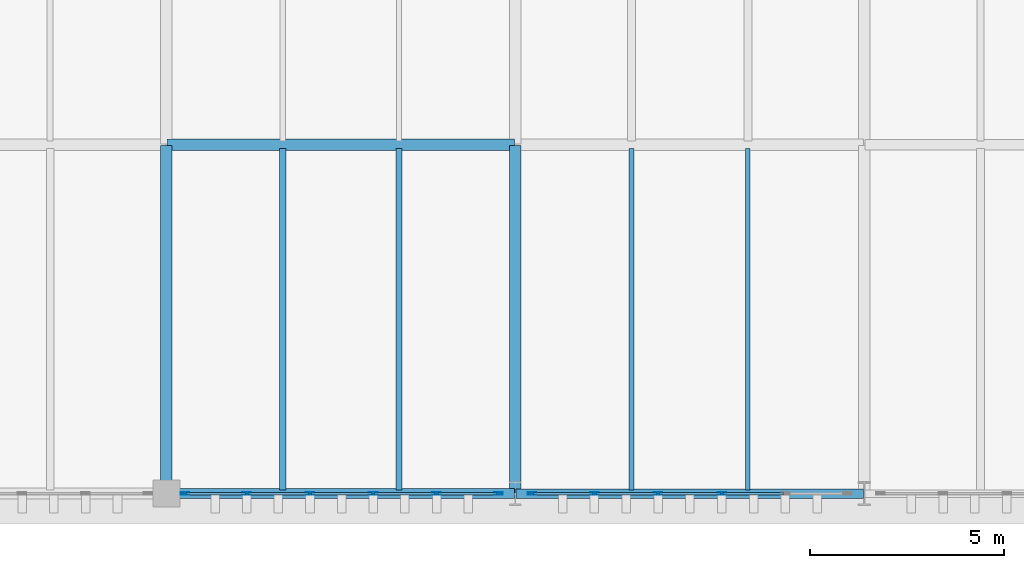
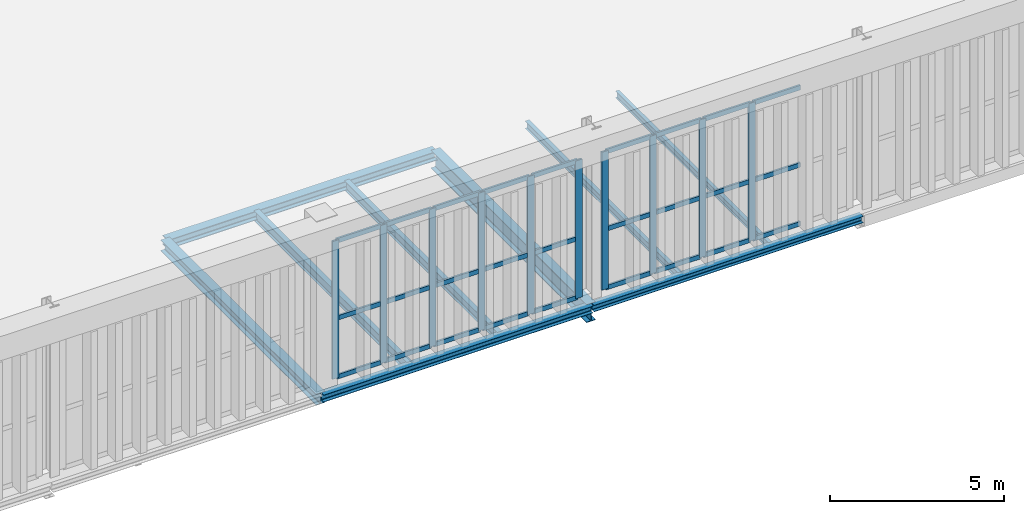
# One storey, part 114 of 237: 37 members, 9 beams, 2 elements without a shape of their own.
"""IFC4 building model written with IfcOpenShell, lengths in metres."""

from ifc_helpers import new_model, si_unit, direction, frame, origin, origin_2d, place, context, subcontext, project, spatial, hollow_rectangle, i_section, extrude, material, layer, layer_set, material_profile, profile_set, type_object, element, aggregate, save


model = new_model("IFC4")

# Units and contexts
model_context = context("Model", 3, precision=1e-05, world=origin(), true_north=direction((0.0, 1.0)))
body_context = subcontext(model_context, "Body", "Model", "MODEL_VIEW")
ifc_project = project(units=[si_unit("LENGTHUNIT", "METRE"), si_unit("AREAUNIT", "SQUARE_METRE"), si_unit("VOLUMEUNIT", "CUBIC_METRE"), si_unit("PLANEANGLEUNIT", "RADIAN"), si_unit("MASSUNIT", "GRAM", prefix="KILO")], contexts=[model_context])

# Site, building, storey
site_placement = place(None, origin())
site = spatial("IfcSite", under=ifc_project, at=site_placement, CompositionType="ELEMENT")
building_placement = place(site_placement, origin())
building = spatial("IfcBuilding", under=site, at=building_placement, Name="Barlavento Convention Centre", CompositionType="ELEMENT")
storey_placement = place(building_placement, frame((0.0, 0.0, 12.0)))
storey = spatial("IfcBuildingStorey", under=building, at=storey_placement, Name="L02", CompositionType="ELEMENT", Elevation=12.0)

# Curtain wall, members
ifc_material_1 = material(Name="Powder-coated aluminium and Low-E glass", Category="aluminium")
ifc_layer = layer(ifc_material_1, 0.195068359375)
ifc_layer_set = layer_set([ifc_layer], Name="ARC-CW-BALL-L02")
curtain_wall_type = type_object("IfcCurtainWallType", Name="ARC-CW-BALL-L02", PredefinedType="NOTDEFINED", material=ifc_layer_set)
curtain_wall_1_placement = place(storey_placement, origin())
curtain_wall_1 = element("IfcCurtainWall", 1, at=curtain_wall_1_placement, inside=storey, type_object=curtain_wall_type, Name="L02 unitised curtain wall CW07", PredefinedType="NOTDEFINED")
ifc_material_2 = material(Name="Powder-coated aluminium", Category="aluminium")
ifc_material_profile_1 = material_profile(ifc_material_2, hollow_rectangle(XDim=0.070068359375, YDim=0.219970703125, WallThickness=0.006103515625, at=origin_2d()), Name="AL-MULL 70x220x6")
ifc_profile_set_1 = profile_set([ifc_material_profile_1], Name="Powder-coated aluminium")
member_type_1 = type_object("IfcMemberType", Name="ARC-CWM-70X220", PredefinedType="MULLION", material=ifc_profile_set_1)
member_1_placement = place(storey_placement, frame((144.47509765625, 0.0, 0.0), z_axis=(0.0, 0.0, 1.0), x_axis=(0.0, 1.0, 0.0)))
member_1 = element("IfcMember", 2, at=member_1_placement, type_object=member_type_1, Name="CW07 mullion 1", PredefinedType="MULLION", context=body_context, shape_type="SweptSolid", body=[
    extrude(hollow_rectangle(XDim=0.070068359375, YDim=0.219970703125, WallThickness=0.006103515625, at=origin_2d()), origin(), (0.0, 0.0, 1.0), 4.85009765625),
])
member_2_placement = place(storey_placement, frame((146.072021484375, 0.0, 0.0), z_axis=(0.0, 0.0, 1.0), x_axis=(0.0, 1.0, 0.0)))
member_2 = element("IfcMember", 3, at=member_2_placement, type_object=member_type_1, Name="CW07 mullion 2", PredefinedType="MULLION", context=body_context, shape_type="SweptSolid", body=[
    extrude(hollow_rectangle(XDim=0.070068359375, YDim=0.219970703125, WallThickness=0.006103515625, at=origin_2d()), origin(), (0.0, 0.0, 1.0), 4.85009765625),
])
member_3_placement = place(storey_placement, frame((147.7041015625, 0.0, 0.0), z_axis=(0.0, 0.0, 1.0), x_axis=(0.0, 1.0, 0.0)))
member_3 = element("IfcMember", 4, at=member_3_placement, type_object=member_type_1, Name="CW07 mullion 3", PredefinedType="MULLION", context=body_context, shape_type="SweptSolid", body=[
    extrude(hollow_rectangle(XDim=0.070068359375, YDim=0.219970703125, WallThickness=0.006103515625, at=origin_2d()), origin(), (0.0, 0.0, 1.0), 4.85009765625),
])
member_4_placement = place(storey_placement, frame((149.3359375, 0.0, 0.0), z_axis=(0.0, 0.0, 1.0), x_axis=(0.0, 1.0, 0.0)))
member_4 = element("IfcMember", 5, at=member_4_placement, type_object=member_type_1, Name="CW07 mullion 4", PredefinedType="MULLION", context=body_context, shape_type="SweptSolid", body=[
    extrude(hollow_rectangle(XDim=0.070068359375, YDim=0.219970703125, WallThickness=0.006103515625, at=origin_2d()), origin(), (0.0, 0.0, 1.0), 4.85009765625),
])
member_5_placement = place(storey_placement, frame((150.968017578125, 0.0, 0.0), z_axis=(0.0, 0.0, 1.0), x_axis=(0.0, 1.0, 0.0)))
member_5 = element("IfcMember", 6, at=member_5_placement, type_object=member_type_1, Name="CW07 mullion 5", PredefinedType="MULLION", context=body_context, shape_type="SweptSolid", body=[
    extrude(hollow_rectangle(XDim=0.070068359375, YDim=0.219970703125, WallThickness=0.006103515625, at=origin_2d()), origin(), (0.0, 0.0, 1.0), 4.85009765625),
])
member_6_placement = place(storey_placement, frame((152.56494140625, 0.0, 0.0), z_axis=(0.0, 0.0, 1.0), x_axis=(0.0, 1.0, 0.0)))
member_6 = element("IfcMember", 7, at=member_6_placement, type_object=member_type_1, Name="CW07 mullion 6", PredefinedType="MULLION", context=body_context, shape_type="SweptSolid", body=[
    extrude(hollow_rectangle(XDim=0.070068359375, YDim=0.219970703125, WallThickness=0.006103515625, at=origin_2d()), origin(), (0.0, 0.0, 1.0), 4.85009765625),
])

curtain_wall_2_placement = place(storey_placement, origin())
curtain_wall_2 = element("IfcCurtainWall", 8, at=curtain_wall_2_placement, inside=storey, type_object=curtain_wall_type, Name="L02 unitised curtain wall CW07", PredefinedType="NOTDEFINED")
member_7_placement = place(storey_placement, frame((153.43505859375, 0.0, 0.0), z_axis=(0.0, 0.0, 1.0), x_axis=(0.0, 1.0, 0.0)))
member_7 = element("IfcMember", 9, at=member_7_placement, type_object=member_type_1, Name="CW07 mullion 1", PredefinedType="MULLION", context=body_context, shape_type="SweptSolid", body=[
    extrude(hollow_rectangle(XDim=0.070068359375, YDim=0.219970703125, WallThickness=0.006103515625, at=origin_2d()), origin(), (0.0, 0.0, 1.0), 4.85009765625),
])
member_8_placement = place(storey_placement, frame((155.0419921875, 0.0, 0.0), z_axis=(0.0, 0.0, 1.0), x_axis=(0.0, 1.0, 0.0)))
member_8 = element("IfcMember", 10, at=member_8_placement, type_object=member_type_1, Name="CW07 mullion 2", PredefinedType="MULLION", context=body_context, shape_type="SweptSolid", body=[
    extrude(hollow_rectangle(XDim=0.070068359375, YDim=0.219970703125, WallThickness=0.006103515625, at=origin_2d()), origin(), (0.0, 0.0, 1.0), 4.85009765625),
])
member_9_placement = place(storey_placement, frame((156.68408203125, 0.0, 0.0), z_axis=(0.0, 0.0, 1.0), x_axis=(0.0, 1.0, 0.0)))
member_9 = element("IfcMember", 11, at=member_9_placement, type_object=member_type_1, Name="CW07 mullion 3", PredefinedType="MULLION", context=body_context, shape_type="SweptSolid", body=[
    extrude(hollow_rectangle(XDim=0.070068359375, YDim=0.219970703125, WallThickness=0.006103515625, at=origin_2d()), origin(), (0.0, 0.0, 1.0), 4.85009765625),
])
member_10_placement = place(storey_placement, frame((158.325927734375, 0.0, 0.0), z_axis=(0.0, 0.0, 1.0), x_axis=(0.0, 1.0, 0.0)))
member_10 = element("IfcMember", 12, at=member_10_placement, type_object=member_type_1, Name="CW07 mullion 4", PredefinedType="MULLION", context=body_context, shape_type="SweptSolid", body=[
    extrude(hollow_rectangle(XDim=0.070068359375, YDim=0.219970703125, WallThickness=0.006103515625, at=origin_2d()), origin(), (0.0, 0.0, 1.0), 4.85009765625),
])

# Member
ifc_material_profile_2 = material_profile(ifc_material_2, hollow_rectangle(XDim=0.06494140625, YDim=0.159912109375, WallThickness=0.0048828125, at=origin_2d()), Name="AL-TRAN 65x160x5")
ifc_profile_set_2 = profile_set([ifc_material_profile_2], Name="Powder-coated aluminium")
member_type_2 = type_object("IfcMemberType", Name="ARC-CWT-65X160", PredefinedType="USERDEFINED", material=ifc_profile_set_2)
member_11_placement = place(storey_placement, frame((144.510009765625, 0.0, 0.032470703125), z_axis=(1.0, 0.0, 0.0), x_axis=(0.0, 1.0, 0.0)))
member_11 = element("IfcMember", 13, at=member_11_placement, type_object=member_type_2, Name="CW07 transom 1.1", ObjectType="TRANSOM", PredefinedType="USERDEFINED", context=body_context, shape_type="SweptSolid", body=[
    extrude(hollow_rectangle(XDim=0.06494140625, YDim=0.159912109375, WallThickness=0.0048828125, at=origin_2d()), origin(), (0.0, 0.0, 1.0), 1.527099609375),
])

member_12_placement = place(storey_placement, frame((144.510009765625, 0.0, 2.10009765625), z_axis=(1.0, 0.0, 0.0), x_axis=(0.0, 1.0, 0.0)))
member_12 = element("IfcMember", 14, at=member_12_placement, type_object=member_type_2, Name="CW07 transom 1.2", ObjectType="TRANSOM", PredefinedType="USERDEFINED", context=body_context, shape_type="SweptSolid", body=[
    extrude(hollow_rectangle(XDim=0.06494140625, YDim=0.159912109375, WallThickness=0.0048828125, at=origin_2d()), origin(), (0.0, 0.0, 1.0), 1.527099609375),
])

member_13_placement = place(storey_placement, frame((144.510009765625, 0.0, 4.8173828125), z_axis=(1.0, 0.0, 0.0), x_axis=(0.0, 1.0, 0.0)))
member_13 = element("IfcMember", 15, at=member_13_placement, type_object=member_type_2, Name="CW07 transom 1.3", ObjectType="TRANSOM", PredefinedType="USERDEFINED", context=body_context, shape_type="SweptSolid", body=[
    extrude(hollow_rectangle(XDim=0.06494140625, YDim=0.159912109375, WallThickness=0.0048828125, at=origin_2d()), origin(), (0.0, 0.0, 1.0), 1.527099609375),
])

member_14_placement = place(storey_placement, frame((146.10693359375, 0.0, 0.032470703125), z_axis=(1.0, 0.0, 0.0), x_axis=(0.0, 1.0, 0.0)))
member_14 = element("IfcMember", 16, at=member_14_placement, type_object=member_type_2, Name="CW07 transom 2.1", ObjectType="TRANSOM", PredefinedType="USERDEFINED", context=body_context, shape_type="SweptSolid", body=[
    extrude(hollow_rectangle(XDim=0.06494140625, YDim=0.159912109375, WallThickness=0.0048828125, at=origin_2d()), origin(), (0.0, 0.0, 1.0), 1.56201171875),
])

member_15_placement = place(storey_placement, frame((146.10693359375, 0.0, 2.10009765625), z_axis=(1.0, 0.0, 0.0), x_axis=(0.0, 1.0, 0.0)))
member_15 = element("IfcMember", 17, at=member_15_placement, type_object=member_type_2, Name="CW07 transom 2.2", ObjectType="TRANSOM", PredefinedType="USERDEFINED", context=body_context, shape_type="SweptSolid", body=[
    extrude(hollow_rectangle(XDim=0.06494140625, YDim=0.159912109375, WallThickness=0.0048828125, at=origin_2d()), origin(), (0.0, 0.0, 1.0), 1.56201171875),
])

member_16_placement = place(storey_placement, frame((146.10693359375, 0.0, 4.8173828125), z_axis=(1.0, 0.0, 0.0), x_axis=(0.0, 1.0, 0.0)))
member_16 = element("IfcMember", 18, at=member_16_placement, type_object=member_type_2, Name="CW07 transom 2.3", ObjectType="TRANSOM", PredefinedType="USERDEFINED", context=body_context, shape_type="SweptSolid", body=[
    extrude(hollow_rectangle(XDim=0.06494140625, YDim=0.159912109375, WallThickness=0.0048828125, at=origin_2d()), origin(), (0.0, 0.0, 1.0), 1.56201171875),
])

member_17_placement = place(storey_placement, frame((147.739013671875, 0.0, 0.032470703125), z_axis=(1.0, 0.0, 0.0), x_axis=(0.0, 1.0, 0.0)))
member_17 = element("IfcMember", 19, at=member_17_placement, type_object=member_type_2, Name="CW07 transom 3.1", ObjectType="TRANSOM", PredefinedType="USERDEFINED", context=body_context, shape_type="SweptSolid", body=[
    extrude(hollow_rectangle(XDim=0.06494140625, YDim=0.159912109375, WallThickness=0.0048828125, at=origin_2d()), origin(), (0.0, 0.0, 1.0), 1.56201171875),
])

member_18_placement = place(storey_placement, frame((147.739013671875, 0.0, 2.10009765625), z_axis=(1.0, 0.0, 0.0), x_axis=(0.0, 1.0, 0.0)))
member_18 = element("IfcMember", 20, at=member_18_placement, type_object=member_type_2, Name="CW07 transom 3.2", ObjectType="TRANSOM", PredefinedType="USERDEFINED", context=body_context, shape_type="SweptSolid", body=[
    extrude(hollow_rectangle(XDim=0.06494140625, YDim=0.159912109375, WallThickness=0.0048828125, at=origin_2d()), origin(), (0.0, 0.0, 1.0), 1.56201171875),
])

member_19_placement = place(storey_placement, frame((147.739013671875, 0.0, 4.8173828125), z_axis=(1.0, 0.0, 0.0), x_axis=(0.0, 1.0, 0.0)))
member_19 = element("IfcMember", 21, at=member_19_placement, type_object=member_type_2, Name="CW07 transom 3.3", ObjectType="TRANSOM", PredefinedType="USERDEFINED", context=body_context, shape_type="SweptSolid", body=[
    extrude(hollow_rectangle(XDim=0.06494140625, YDim=0.159912109375, WallThickness=0.0048828125, at=origin_2d()), origin(), (0.0, 0.0, 1.0), 1.56201171875),
])

member_20_placement = place(storey_placement, frame((149.37109375, 0.0, 0.032470703125), z_axis=(1.0, 0.0, 0.0), x_axis=(0.0, 1.0, 0.0)))
member_20 = element("IfcMember", 22, at=member_20_placement, type_object=member_type_2, Name="CW07 transom 4.1", ObjectType="TRANSOM", PredefinedType="USERDEFINED", context=body_context, shape_type="SweptSolid", body=[
    extrude(hollow_rectangle(XDim=0.06494140625, YDim=0.159912109375, WallThickness=0.0048828125, at=origin_2d()), origin(), (0.0, 0.0, 1.0), 1.56201171875),
])

member_21_placement = place(storey_placement, frame((149.37109375, 0.0, 2.10009765625), z_axis=(1.0, 0.0, 0.0), x_axis=(0.0, 1.0, 0.0)))
member_21 = element("IfcMember", 23, at=member_21_placement, type_object=member_type_2, Name="CW07 transom 4.2", ObjectType="TRANSOM", PredefinedType="USERDEFINED", context=body_context, shape_type="SweptSolid", body=[
    extrude(hollow_rectangle(XDim=0.06494140625, YDim=0.159912109375, WallThickness=0.0048828125, at=origin_2d()), origin(), (0.0, 0.0, 1.0), 1.56201171875),
])

member_22_placement = place(storey_placement, frame((149.37109375, 0.0, 4.8173828125), z_axis=(1.0, 0.0, 0.0), x_axis=(0.0, 1.0, 0.0)))
member_22 = element("IfcMember", 24, at=member_22_placement, type_object=member_type_2, Name="CW07 transom 4.3", ObjectType="TRANSOM", PredefinedType="USERDEFINED", context=body_context, shape_type="SweptSolid", body=[
    extrude(hollow_rectangle(XDim=0.06494140625, YDim=0.159912109375, WallThickness=0.0048828125, at=origin_2d()), origin(), (0.0, 0.0, 1.0), 1.56201171875),
])

member_23_placement = place(storey_placement, frame((151.0029296875, 0.0, 0.032470703125), z_axis=(1.0, 0.0, 0.0), x_axis=(0.0, 1.0, 0.0)))
member_23 = element("IfcMember", 25, at=member_23_placement, type_object=member_type_2, Name="CW07 transom 5.1", ObjectType="TRANSOM", PredefinedType="USERDEFINED", context=body_context, shape_type="SweptSolid", body=[
    extrude(hollow_rectangle(XDim=0.06494140625, YDim=0.159912109375, WallThickness=0.0048828125, at=origin_2d()), origin(), (0.0, 0.0, 1.0), 1.527099609375),
])

member_24_placement = place(storey_placement, frame((151.0029296875, 0.0, 2.10009765625), z_axis=(1.0, 0.0, 0.0), x_axis=(0.0, 1.0, 0.0)))
member_24 = element("IfcMember", 26, at=member_24_placement, type_object=member_type_2, Name="CW07 transom 5.2", ObjectType="TRANSOM", PredefinedType="USERDEFINED", context=body_context, shape_type="SweptSolid", body=[
    extrude(hollow_rectangle(XDim=0.06494140625, YDim=0.159912109375, WallThickness=0.0048828125, at=origin_2d()), origin(), (0.0, 0.0, 1.0), 1.527099609375),
])

member_25_placement = place(storey_placement, frame((151.0029296875, 0.0, 4.8173828125), z_axis=(1.0, 0.0, 0.0), x_axis=(0.0, 1.0, 0.0)))
member_25 = element("IfcMember", 27, at=member_25_placement, type_object=member_type_2, Name="CW07 transom 5.3", ObjectType="TRANSOM", PredefinedType="USERDEFINED", context=body_context, shape_type="SweptSolid", body=[
    extrude(hollow_rectangle(XDim=0.06494140625, YDim=0.159912109375, WallThickness=0.0048828125, at=origin_2d()), origin(), (0.0, 0.0, 1.0), 1.527099609375),
])

aggregate(curtain_wall_1, [member_1, member_2, member_3, member_4, member_5, member_6, member_11, member_12, member_13, member_14, member_15, member_16, member_17, member_18, member_19, member_20, member_21, member_22, member_23, member_24, member_25])

member_26_placement = place(storey_placement, frame((153.469970703125, 0.0, 0.032470703125), z_axis=(1.0, 0.0, 0.0), x_axis=(0.0, 1.0, 0.0)))
member_26 = element("IfcMember", 28, at=member_26_placement, type_object=member_type_2, Name="CW07 transom 1.1", ObjectType="TRANSOM", PredefinedType="USERDEFINED", context=body_context, shape_type="SweptSolid", body=[
    extrude(hollow_rectangle(XDim=0.06494140625, YDim=0.159912109375, WallThickness=0.0048828125, at=origin_2d()), origin(), (0.0, 0.0, 1.0), 1.537109375),
])

member_27_placement = place(storey_placement, frame((153.469970703125, 0.0, 2.10009765625), z_axis=(1.0, 0.0, 0.0), x_axis=(0.0, 1.0, 0.0)))
member_27 = element("IfcMember", 29, at=member_27_placement, type_object=member_type_2, Name="CW07 transom 1.2", ObjectType="TRANSOM", PredefinedType="USERDEFINED", context=body_context, shape_type="SweptSolid", body=[
    extrude(hollow_rectangle(XDim=0.06494140625, YDim=0.159912109375, WallThickness=0.0048828125, at=origin_2d()), origin(), (0.0, 0.0, 1.0), 1.537109375),
])

member_28_placement = place(storey_placement, frame((153.469970703125, 0.0, 4.8173828125), z_axis=(1.0, 0.0, 0.0), x_axis=(0.0, 1.0, 0.0)))
member_28 = element("IfcMember", 30, at=member_28_placement, type_object=member_type_2, Name="CW07 transom 1.3", ObjectType="TRANSOM", PredefinedType="USERDEFINED", context=body_context, shape_type="SweptSolid", body=[
    extrude(hollow_rectangle(XDim=0.06494140625, YDim=0.159912109375, WallThickness=0.0048828125, at=origin_2d()), origin(), (0.0, 0.0, 1.0), 1.537109375),
])

member_29_placement = place(storey_placement, frame((155.076904296875, 0.0, 0.032470703125), z_axis=(1.0, 0.0, 0.0), x_axis=(0.0, 1.0, 0.0)))
member_29 = element("IfcMember", 31, at=member_29_placement, type_object=member_type_2, Name="CW07 transom 2.1", ObjectType="TRANSOM", PredefinedType="USERDEFINED", context=body_context, shape_type="SweptSolid", body=[
    extrude(hollow_rectangle(XDim=0.06494140625, YDim=0.159912109375, WallThickness=0.0048828125, at=origin_2d()), origin(), (0.0, 0.0, 1.0), 1.572021484375),
])

member_30_placement = place(storey_placement, frame((155.076904296875, 0.0, 2.10009765625), z_axis=(1.0, 0.0, 0.0), x_axis=(0.0, 1.0, 0.0)))
member_30 = element("IfcMember", 32, at=member_30_placement, type_object=member_type_2, Name="CW07 transom 2.2", ObjectType="TRANSOM", PredefinedType="USERDEFINED", context=body_context, shape_type="SweptSolid", body=[
    extrude(hollow_rectangle(XDim=0.06494140625, YDim=0.159912109375, WallThickness=0.0048828125, at=origin_2d()), origin(), (0.0, 0.0, 1.0), 1.572021484375),
])

member_31_placement = place(storey_placement, frame((155.076904296875, 0.0, 4.8173828125), z_axis=(1.0, 0.0, 0.0), x_axis=(0.0, 1.0, 0.0)))
member_31 = element("IfcMember", 33, at=member_31_placement, type_object=member_type_2, Name="CW07 transom 2.3", ObjectType="TRANSOM", PredefinedType="USERDEFINED", context=body_context, shape_type="SweptSolid", body=[
    extrude(hollow_rectangle(XDim=0.06494140625, YDim=0.159912109375, WallThickness=0.0048828125, at=origin_2d()), origin(), (0.0, 0.0, 1.0), 1.572021484375),
])

member_32_placement = place(storey_placement, frame((156.718994140625, 0.0, 0.032470703125), z_axis=(1.0, 0.0, 0.0), x_axis=(0.0, 1.0, 0.0)))
member_32 = element("IfcMember", 34, at=member_32_placement, type_object=member_type_2, Name="CW07 transom 3.1", ObjectType="TRANSOM", PredefinedType="USERDEFINED", context=body_context, shape_type="SweptSolid", body=[
    extrude(hollow_rectangle(XDim=0.06494140625, YDim=0.159912109375, WallThickness=0.0048828125, at=origin_2d()), origin(), (0.0, 0.0, 1.0), 1.572021484375),
])

member_33_placement = place(storey_placement, frame((156.718994140625, 0.0, 2.10009765625), z_axis=(1.0, 0.0, 0.0), x_axis=(0.0, 1.0, 0.0)))
member_33 = element("IfcMember", 35, at=member_33_placement, type_object=member_type_2, Name="CW07 transom 3.2", ObjectType="TRANSOM", PredefinedType="USERDEFINED", context=body_context, shape_type="SweptSolid", body=[
    extrude(hollow_rectangle(XDim=0.06494140625, YDim=0.159912109375, WallThickness=0.0048828125, at=origin_2d()), origin(), (0.0, 0.0, 1.0), 1.572021484375),
])

member_34_placement = place(storey_placement, frame((156.718994140625, 0.0, 4.8173828125), z_axis=(1.0, 0.0, 0.0), x_axis=(0.0, 1.0, 0.0)))
member_34 = element("IfcMember", 36, at=member_34_placement, type_object=member_type_2, Name="CW07 transom 3.3", ObjectType="TRANSOM", PredefinedType="USERDEFINED", context=body_context, shape_type="SweptSolid", body=[
    extrude(hollow_rectangle(XDim=0.06494140625, YDim=0.159912109375, WallThickness=0.0048828125, at=origin_2d()), origin(), (0.0, 0.0, 1.0), 1.572021484375),
])

member_35_placement = place(storey_placement, frame((158.361083984375, 0.0, 0.032470703125), z_axis=(1.0, 0.0, 0.0), x_axis=(0.0, 1.0, 0.0)))
member_35 = element("IfcMember", 37, at=member_35_placement, type_object=member_type_2, Name="CW07 transom 4.1", ObjectType="TRANSOM", PredefinedType="USERDEFINED", context=body_context, shape_type="SweptSolid", body=[
    extrude(hollow_rectangle(XDim=0.06494140625, YDim=0.159912109375, WallThickness=0.0048828125, at=origin_2d()), origin(), (0.0, 0.0, 1.0), 1.572021484375),
])

member_36_placement = place(storey_placement, frame((158.361083984375, 0.0, 2.10009765625), z_axis=(1.0, 0.0, 0.0), x_axis=(0.0, 1.0, 0.0)))
member_36 = element("IfcMember", 38, at=member_36_placement, type_object=member_type_2, Name="CW07 transom 4.2", ObjectType="TRANSOM", PredefinedType="USERDEFINED", context=body_context, shape_type="SweptSolid", body=[
    extrude(hollow_rectangle(XDim=0.06494140625, YDim=0.159912109375, WallThickness=0.0048828125, at=origin_2d()), origin(), (0.0, 0.0, 1.0), 1.572021484375),
])

member_37_placement = place(storey_placement, frame((158.361083984375, 0.0, 4.8173828125), z_axis=(1.0, 0.0, 0.0), x_axis=(0.0, 1.0, 0.0)))
member_37 = element("IfcMember", 39, at=member_37_placement, type_object=member_type_2, Name="CW07 transom 4.3", ObjectType="TRANSOM", PredefinedType="USERDEFINED", context=body_context, shape_type="SweptSolid", body=[
    extrude(hollow_rectangle(XDim=0.06494140625, YDim=0.159912109375, WallThickness=0.0048828125, at=origin_2d()), origin(), (0.0, 0.0, 1.0), 1.572021484375),
])

aggregate(curtain_wall_2, [member_7, member_8, member_9, member_10, member_26, member_27, member_28, member_29, member_30, member_31, member_32, member_33, member_34, member_35, member_36, member_37])

# Beams
ifc_material_3 = material(Name="Steel S355", Category="steel")
ifc_material_profile_3 = material_profile(ifc_material_3, i_section(OverallWidth=0.1201171875, OverallDepth=0.239990234375, WebThickness=0.006103515625, FlangeThickness=0.009765625, FilletRadius=0.014892578125, at=origin_2d()), Name="IPE 240")
ifc_profile_set_3 = profile_set([ifc_material_profile_3], Name="Steel S355")
beam_type_1 = type_object("IfcBeamType", Name="STR-BM-JST-IPE240", PredefinedType="JOIST", material=ifc_profile_set_3)
beam_1_placement = place(storey_placement, frame((159.0, 0.094970703125, -0.489990234375), z_axis=(0.0, 1.0, 0.0), x_axis=(-1.0, 0.0, 0.0)))
element("IfcBeam", 40, at=beam_1_placement, inside=storey, type_object=beam_type_1, Name="L02 composite floor joist SJ09", PredefinedType="JOIST", context=body_context, shape_type="SweptSolid", body=[
    extrude(i_section(OverallWidth=0.1201171875, OverallDepth=0.239990234375, WebThickness=0.006103515625, FlangeThickness=0.009765625, FilletRadius=0.014892578125, at=origin_2d()), origin(), (0.0, 0.0, 1.0), 8.81005859375),
])
ifc_material_profile_4 = material_profile(ifc_material_3, i_section(OverallWidth=0.135009765625, OverallDepth=0.27001953125, WebThickness=0.006591796875, FlangeThickness=0.01025390625, FilletRadius=0.014892578125, at=origin_2d()), Name="IPE 270")
ifc_profile_set_4 = profile_set([ifc_material_profile_4], Name="Steel S355")
beam_type_2 = type_object("IfcBeamType", Name="STR-BM-JST-IPE270", PredefinedType="JOIST", material=ifc_profile_set_4)
beam_2_placement = place(storey_placement, frame((156.0, 0.094970703125, -0.5048828125), z_axis=(0.0, 1.0, 0.0), x_axis=(-1.0, 0.0, 0.0)))
element("IfcBeam", 41, at=beam_2_placement, inside=storey, type_object=beam_type_2, Name="L02 composite floor joist SJ08", PredefinedType="JOIST", context=body_context, shape_type="SweptSolid", body=[
    extrude(i_section(OverallWidth=0.135009765625, OverallDepth=0.27001953125, WebThickness=0.006591796875, FlangeThickness=0.01025390625, FilletRadius=0.014892578125, at=origin_2d()), origin(), (0.0, 0.0, 1.0), 8.81005859375),
])
ifc_material_profile_5 = material_profile(ifc_material_3, i_section(OverallWidth=0.159912109375, OverallDepth=0.330078125, WebThickness=0.007568359375, FlangeThickness=0.011474609375, FilletRadius=0.01806640625, at=origin_2d()), Name="IPE 330")
ifc_profile_set_5 = profile_set([ifc_material_profile_5], Name="Steel S355")
beam_type_3 = type_object("IfcBeamType", Name="STR-BM-JST-IPE330", PredefinedType="JOIST", material=ifc_profile_set_5)
beam_3_placement = place(storey_placement, frame((150.0, 0.094970703125, -0.534912109375), z_axis=(0.0, 1.0, 0.0), x_axis=(-1.0, 0.0, 0.0)))
element("IfcBeam", 42, at=beam_3_placement, inside=storey, type_object=beam_type_3, Name="L02 composite floor joist SJ06", PredefinedType="JOIST", context=body_context, shape_type="SweptSolid", body=[
    extrude(i_section(OverallWidth=0.159912109375, OverallDepth=0.330078125, WebThickness=0.007568359375, FlangeThickness=0.011474609375, FilletRadius=0.01806640625, at=origin_2d()), origin(), (0.0, 0.0, 1.0), 8.81005859375),
])
ifc_material_profile_6 = material_profile(ifc_material_3, i_section(OverallWidth=0.169921875, OverallDepth=0.360107421875, WebThickness=0.008056640625, FlangeThickness=0.0126953125, FilletRadius=0.01806640625, at=origin_2d()), Name="IPE 360")
ifc_profile_set_6 = profile_set([ifc_material_profile_6], Name="Steel S355")
beam_type_4 = type_object("IfcBeamType", Name="STR-BM-JST-IPE360", PredefinedType="JOIST", material=ifc_profile_set_6)
beam_4_placement = place(storey_placement, frame((147.0, 0.094970703125, -0.550048828125), z_axis=(0.0, 1.0, 0.0), x_axis=(-1.0, 0.0, 0.0)))
element("IfcBeam", 43, at=beam_4_placement, inside=storey, type_object=beam_type_4, Name="L02 composite floor joist SJ05", PredefinedType="JOIST", context=body_context, shape_type="SweptSolid", body=[
    extrude(i_section(OverallWidth=0.169921875, OverallDepth=0.360107421875, WebThickness=0.008056640625, FlangeThickness=0.0126953125, FilletRadius=0.01806640625, at=origin_2d()), origin(), (0.0, 0.0, 1.0), 8.81005859375),
])
ifc_material_profile_7 = material_profile(ifc_material_3, i_section(OverallWidth=0.300048828125, OverallDepth=0.389892578125, WebThickness=0.010986328125, FlangeThickness=0.01904296875, FilletRadius=0.027099609375, at=origin_2d()), Name="HEA 400")
ifc_profile_set_7 = profile_set([ifc_material_profile_7], Name="Steel S355")
beam_type_5 = type_object("IfcBeamType", Name="STR-BM-PRI-HEA400", PredefinedType="BEAM", material=ifc_profile_set_7)
beam_5_placement = place(storey_placement, frame((144.0, 0.02001953125, -0.56494140625), z_axis=(0.0, 1.0, 0.0), x_axis=(-1.0, 0.0, 0.0)))
element("IfcBeam", 44, at=beam_5_placement, inside=storey, type_object=beam_type_5, Name="L02 grid girder BG22", PredefinedType="BEAM", context=body_context, shape_type="SweptSolid", body=[
    extrude(i_section(OverallWidth=0.300048828125, OverallDepth=0.389892578125, WebThickness=0.010986328125, FlangeThickness=0.01904296875, FilletRadius=0.027099609375, at=origin_2d()), origin(), (0.0, 0.0, 1.0), 8.9599609375),
])
ifc_material_profile_8 = material_profile(ifc_material_3, i_section(OverallWidth=0.300048828125, OverallDepth=0.639892578125, WebThickness=0.013427734375, FlangeThickness=0.02587890625, FilletRadius=0.027099609375, at=origin_2d()), Name="HEA 650")
ifc_profile_set_8 = profile_set([ifc_material_profile_8], Name="Steel S355")
beam_type_6 = type_object("IfcBeamType", Name="STR-BM-PRI-HEA650", PredefinedType="BEAM", material=ifc_profile_set_8)
beam_6_placement = place(storey_placement, frame((153.0, 0.02001953125, -0.68994140625), z_axis=(0.0, 1.0, 0.0), x_axis=(-1.0, 0.0, 0.0)))
element("IfcBeam", 45, at=beam_6_placement, inside=storey, type_object=beam_type_6, Name="L02 grid girder BG17", PredefinedType="BEAM", context=body_context, shape_type="SweptSolid", body=[
    extrude(i_section(OverallWidth=0.300048828125, OverallDepth=0.639892578125, WebThickness=0.013427734375, FlangeThickness=0.02587890625, FilletRadius=0.027099609375, at=origin_2d()), origin(), (0.0, 0.0, 1.0), 8.9599609375),
])
ifc_material_profile_9 = material_profile(ifc_material_3, i_section(OverallWidth=0.300048828125, OverallDepth=0.320068359375, WebThickness=0.011474609375, FlangeThickness=0.0205078125, FilletRadius=0.027099609375, at=origin_2d()), Name="HEB 320")
ifc_profile_set_9 = profile_set([ifc_material_profile_9], Name="Steel S355")
beam_type_7 = type_object("IfcBeamType", Name="STR-BM-PRI-HEB320", PredefinedType="BEAM", material=ifc_profile_set_9)
beam_7_placement = place(storey_placement, frame((144.02001953125, 9.0, -0.530029296875), z_axis=(1.0, 0.0, 0.0), x_axis=(0.0, 1.0, 0.0)))
element("IfcBeam", 46, at=beam_7_placement, inside=storey, type_object=beam_type_7, Name="L02 primary girder BG13", PredefinedType="BEAM", context=body_context, shape_type="SweptSolid", body=[
    extrude(i_section(OverallWidth=0.300048828125, OverallDepth=0.320068359375, WebThickness=0.011474609375, FlangeThickness=0.0205078125, FilletRadius=0.027099609375, at=origin_2d()), origin(), (0.0, 0.0, 1.0), 8.9599609375),
])
ifc_material_profile_10 = material_profile(ifc_material_3, i_section(OverallWidth=0.239990234375, OverallDepth=0.22998046875, WebThickness=0.007568359375, FlangeThickness=0.011962890625, FilletRadius=0.02099609375, at=origin_2d()), Name="HEA 240")
ifc_profile_set_10 = profile_set([ifc_material_profile_10], Name="Steel S355")
beam_type_8 = type_object("IfcBeamType", Name="STR-BM-SPN-HEA240", PredefinedType="SPANDREL", material=ifc_profile_set_10)
beam_8_placement = place(storey_placement, frame((153.02001953125, 0.0, -0.485107421875), z_axis=(1.0, 0.0, 0.0), x_axis=(0.0, 1.0, 0.0)))
element("IfcBeam", 47, at=beam_8_placement, inside=storey, type_object=beam_type_8, Name="L02 primary girder SP05", PredefinedType="SPANDREL", context=body_context, shape_type="SweptSolid", body=[
    extrude(i_section(OverallWidth=0.239990234375, OverallDepth=0.22998046875, WebThickness=0.007568359375, FlangeThickness=0.011962890625, FilletRadius=0.02099609375, at=origin_2d()), origin(), (0.0, 0.0, 1.0), 8.9599609375),
])
ifc_material_profile_11 = material_profile(ifc_material_3, i_section(OverallWidth=0.260009765625, OverallDepth=0.25, WebThickness=0.007568359375, FlangeThickness=0.012451171875, FilletRadius=0.02392578125, at=origin_2d()), Name="HEA 260")
ifc_profile_set_11 = profile_set([ifc_material_profile_11], Name="Steel S355")
beam_type_9 = type_object("IfcBeamType", Name="STR-BM-SPN-HEA260", PredefinedType="SPANDREL", material=ifc_profile_set_11)
beam_9_placement = place(storey_placement, frame((144.02001953125, 0.0, -0.4951171875), z_axis=(1.0, 0.0, 0.0), x_axis=(0.0, 1.0, 0.0)))
element("IfcBeam", 48, at=beam_9_placement, inside=storey, type_object=beam_type_9, Name="L02 primary girder SP04", PredefinedType="SPANDREL", context=body_context, shape_type="SweptSolid", body=[
    extrude(i_section(OverallWidth=0.260009765625, OverallDepth=0.25, WebThickness=0.007568359375, FlangeThickness=0.012451171875, FilletRadius=0.02392578125, at=origin_2d()), origin(), (0.0, 0.0, 1.0), 8.9599609375),
])

save(model, "model.ifc")
